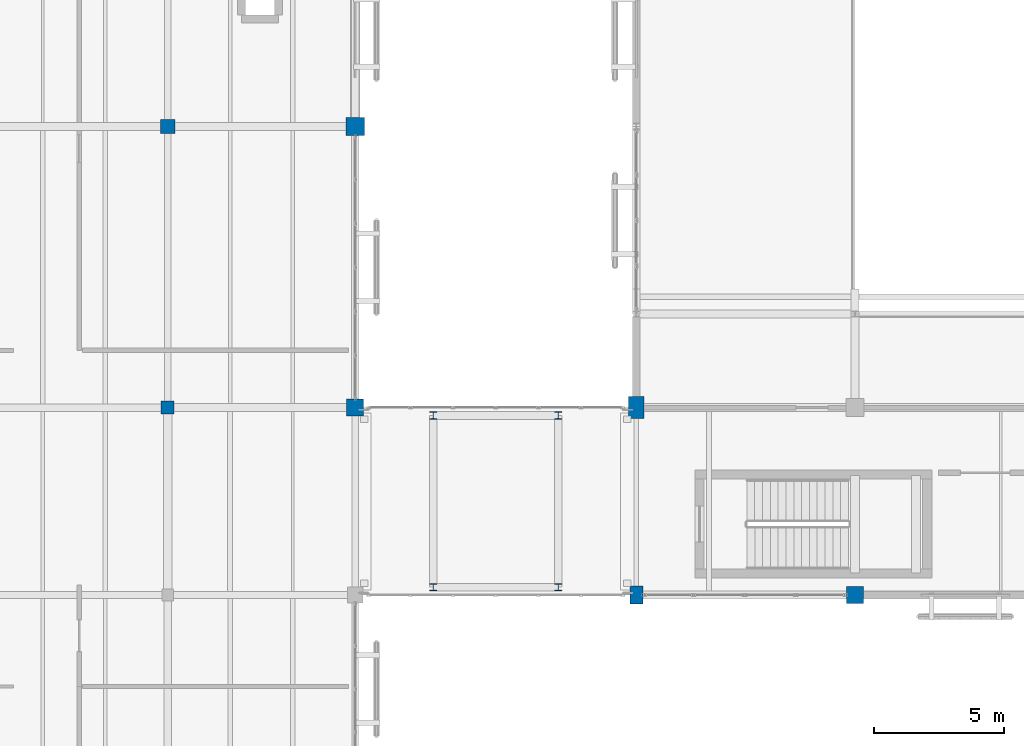
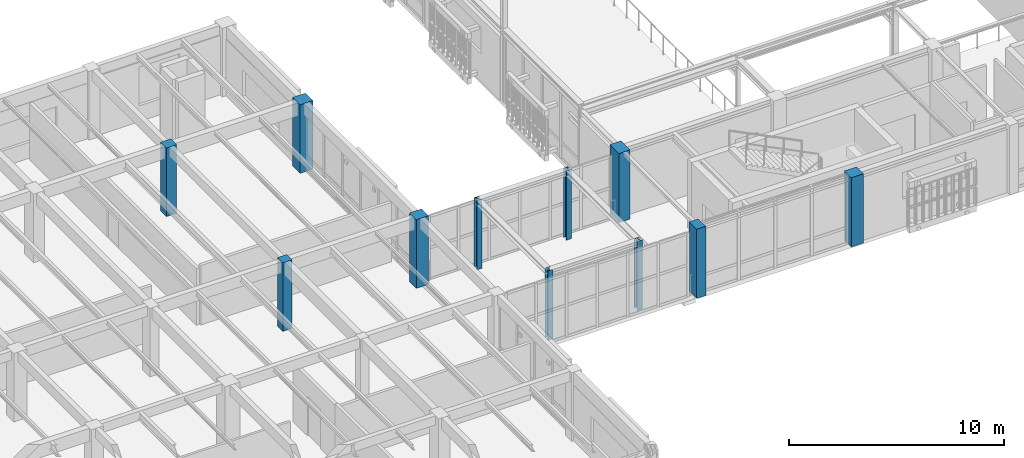
# One storey, part 8 of 170: 11 columns.
"""IFC4 building model written with IfcOpenShell, lengths in metres."""

from ifc_helpers import new_model, si_unit, direction, frame, origin, origin_2d, place, context, subcontext, project, spatial, rectangle, i_section, extrude, material, material_profile, profile_set, type_object, element, save


model = new_model("IFC4")

# Units and contexts
model_context = context("Model", 3, precision=1e-05, world=origin(), true_north=direction((0.0, 1.0)))
body_context = subcontext(model_context, "Body", "Model", "MODEL_VIEW")
ifc_project = project(units=[si_unit("LENGTHUNIT", "METRE"), si_unit("AREAUNIT", "SQUARE_METRE"), si_unit("VOLUMEUNIT", "CUBIC_METRE"), si_unit("PLANEANGLEUNIT", "RADIAN"), si_unit("MASSUNIT", "GRAM", prefix="KILO")], contexts=[model_context])

# Site, building, storey
site_placement = place(None, origin())
site = spatial("IfcSite", under=ifc_project, at=site_placement, CompositionType="ELEMENT")
building_placement = place(site_placement, origin())
building = spatial("IfcBuilding", under=site, at=building_placement, Name="Mazaris Harbour Polytechnic", CompositionType="ELEMENT")
storey_placement = place(building_placement, frame((0.0, 0.0, 5.39990234375)))
storey = spatial("IfcBuildingStorey", under=building, at=storey_placement, Name="L01", CompositionType="ELEMENT", Elevation=5.39990234375)

# Columns
ifc_material_1 = material(Name="Concrete C40/50", Category="concrete")
ifc_material_profile_1 = material_profile(ifc_material_1, rectangle(XDim=0.5, YDim=0.5, at=origin_2d()), Name="RECT500x500")
ifc_profile_set_1 = profile_set([ifc_material_profile_1], Name="Concrete C40/50")
column_type_1 = type_object("IfcColumnType", Name="RC Column 500x500", PredefinedType="COLUMN", material=ifc_profile_set_1)
column_1_placement = place(storey_placement, frame((36.0, 82.800048828125, 0.0), z_axis=(0.0, 0.0, 1.0), x_axis=(1.0, 0.0, 0.0)))
element("IfcColumn", 1, at=column_1_placement, inside=storey, type_object=column_type_1, Name="V4 L01 Column 800", PredefinedType="COLUMN", context=body_context, shape_type="SweptSolid", body=[
    extrude(rectangle(XDim=0.5, YDim=0.5, at=origin_2d()), origin(), (0.0, 0.0, 1.0), 3.89013671875),
])
ifc_material_2 = material(Name="Concrete C40/50", Category="concrete")
ifc_material_profile_2 = material_profile(ifc_material_2, rectangle(XDim=0.5, YDim=0.699951171875, at=origin_2d()), Name="RECT500x700")
ifc_profile_set_2 = profile_set([ifc_material_profile_2], Name="Concrete C40/50")
column_type_2 = type_object("IfcColumnType", Name="RC Column 500x700 Exterior", PredefinedType="COLUMN", material=ifc_profile_set_2)
column_2_placement = place(storey_placement, frame((54.0, 75.60009765625, 0.0), z_axis=(0.0, 0.0, 1.0), x_axis=(1.0, 0.0, 0.0)))
element("IfcColumn", 2, at=column_2_placement, inside=storey, type_object=column_type_2, Name="V1 L01 Column 117", PredefinedType="COLUMN", context=body_context, shape_type="SweptSolid", body=[
    extrude(rectangle(XDim=0.5, YDim=0.699951171875, at=origin_2d()), origin(), (0.0, 0.0, 1.0), 3.920166015625),
])
ifc_material_3 = material(Name="Concrete C40/50", Category="concrete")
ifc_material_profile_3 = material_profile(ifc_material_3, rectangle(XDim=0.550048828125, YDim=0.550048828125, at=origin_2d()), Name="RECT550x550")
ifc_profile_set_3 = profile_set([ifc_material_profile_3], Name="Concrete C40/50")
column_type_3 = type_object("IfcColumnType", Name="RC Column 550x550", PredefinedType="COLUMN", material=ifc_profile_set_3)
column_3_placement = place(storey_placement, frame((36.0, 93.60009765625, 0.0), z_axis=(0.0, 0.0, 1.0), x_axis=(1.0, 0.0, 0.0)))
element("IfcColumn", 3, at=column_3_placement, inside=storey, type_object=column_type_3, Name="V4 L01 Column 801", PredefinedType="COLUMN", context=body_context, shape_type="SweptSolid", body=[
    extrude(rectangle(XDim=0.550048828125, YDim=0.550048828125, at=origin_2d()), origin(), (0.0, 0.0, 1.0), 3.89013671875),
])
ifc_material_4 = material(Name="Concrete C40/50", Category="concrete")
ifc_material_profile_4 = material_profile(ifc_material_4, rectangle(XDim=0.60009765625, YDim=0.85009765625, at=origin_2d()), Name="RECT600x850")
ifc_profile_set_4 = profile_set([ifc_material_profile_4], Name="Concrete C40/50")
column_type_4 = type_object("IfcColumnType", Name="RC Column 600x850 Exterior", PredefinedType="COLUMN", material=ifc_profile_set_4)
column_4_placement = place(storey_placement, frame((54.0, 82.800048828125, 0.0), z_axis=(0.0, 0.0, 1.0), x_axis=(1.0, 0.0, 0.0)))
element("IfcColumn", 4, at=column_4_placement, inside=storey, type_object=column_type_4, Name="V1 L01 Column 118", PredefinedType="COLUMN", context=body_context, shape_type="SweptSolid", body=[
    extrude(rectangle(XDim=0.60009765625, YDim=0.85009765625, at=origin_2d()), origin(), (0.0, 0.0, 1.0), 3.920166015625),
])
ifc_material_5 = material(Name="Concrete C40/50", Category="concrete")
ifc_material_profile_5 = material_profile(ifc_material_5, rectangle(XDim=0.64990234375, YDim=0.64990234375, at=origin_2d()), Name="RECT650x650")
ifc_profile_set_5 = profile_set([ifc_material_profile_5], Name="Concrete C40/50")
column_type_5 = type_object("IfcColumnType", Name="RC Column 650x650 Exterior", PredefinedType="COLUMN", material=ifc_profile_set_5)
column_5_placement = place(storey_placement, frame((62.39990234375, 75.60009765625, 0.0), z_axis=(0.0, 0.0, 1.0), x_axis=(1.0, 0.0, 0.0)))
element("IfcColumn", 5, at=column_5_placement, inside=storey, type_object=column_type_5, Name="V1 L01 Column 123", PredefinedType="COLUMN", context=body_context, shape_type="SweptSolid", body=[
    extrude(rectangle(XDim=0.64990234375, YDim=0.64990234375, at=origin_2d()), origin(), (0.0, 0.0, 1.0), 3.920166015625),
])
column_6_placement = place(storey_placement, frame((43.199951171875, 82.800048828125, 0.0), z_axis=(0.0, 0.0, 1.0), x_axis=(1.0, 0.0, 0.0)))
element("IfcColumn", 6, at=column_6_placement, inside=storey, type_object=column_type_5, Name="V4 L01 Column 813", PredefinedType="COLUMN", context=body_context, shape_type="SweptSolid", body=[
    extrude(rectangle(XDim=0.64990234375, YDim=0.64990234375, at=origin_2d()), origin(), (0.0, 0.0, 1.0), 3.89013671875),
])
ifc_material_6 = material(Name="Concrete C40/50", Category="concrete")
ifc_material_profile_6 = material_profile(ifc_material_6, rectangle(XDim=0.699951171875, YDim=0.699951171875, at=origin_2d()), Name="RECT700x700")
ifc_profile_set_6 = profile_set([ifc_material_profile_6], Name="Concrete C40/50")
column_type_6 = type_object("IfcColumnType", Name="RC Column 700x700 Exterior", PredefinedType="COLUMN", material=ifc_profile_set_6)
column_7_placement = place(storey_placement, frame((43.199951171875, 93.60009765625, 0.0), z_axis=(0.0, 0.0, 1.0), x_axis=(1.0, 0.0, 0.0)))
element("IfcColumn", 7, at=column_7_placement, inside=storey, type_object=column_type_6, Name="V4 L01 Column 814", PredefinedType="COLUMN", context=body_context, shape_type="SweptSolid", body=[
    extrude(rectangle(XDim=0.699951171875, YDim=0.699951171875, at=origin_2d()), origin(), (0.0, 0.0, 1.0), 3.89013671875),
])
ifc_material_7 = material(Name="Steel S355", Category="steel")
ifc_material_profile_7 = material_profile(ifc_material_7, i_section(OverallWidth=0.280029296875, OverallDepth=0.280029296875, WebThickness=0.010498046875, FlangeThickness=0.01806640625, FilletRadius=0.02392578125, at=origin_2d()), Name="HEB 280")
ifc_profile_set_7 = profile_set([ifc_material_profile_7], Name="Steel S355")
column_type_7 = type_object("IfcColumnType", Name="Steel Column HEB280 Exterior", PredefinedType="COLUMN", material=ifc_profile_set_7)
for number, where, z_axis, x_axis, name in (
    (8, (46.199951171875, 75.89990234375, 0.0), (0.0, 0.0, 1.0), (1.0, 0.0, 0.0), "PB-W2 L01 Bridge Column 1536"),
    (9, (51.0, 75.89990234375, 0.0), (0.0, 0.0, 1.0), (1.0, 0.0, 0.0), "PB-W2 L01 Bridge Column 1537"),
    (10, (46.199951171875, 82.5, 0.0), (0.0, 0.0, 1.0), (1.0, 0.0, 0.0), "PB-W2 L01 Bridge Column 1538"),
    (11, (51.0, 82.5, 0.0), (0.0, 0.0, 1.0), (1.0, 0.0, 0.0), "PB-W2 L01 Bridge Column 1539"),
):
    element("IfcColumn", number, at=place(storey_placement, frame(where, z_axis=z_axis, x_axis=x_axis)), inside=storey, type_object=column_type_7, Name=name, PredefinedType="COLUMN", context=body_context, shape_type="SweptSolid", body=[
        extrude(i_section(OverallWidth=0.280029296875, OverallDepth=0.280029296875, WebThickness=0.010498046875, FlangeThickness=0.01806640625, FilletRadius=0.02392578125, at=origin_2d()), origin(), (0.0, 0.0, 1.0), 3.93505859375),
    ])

save(model, "model.ifc")
